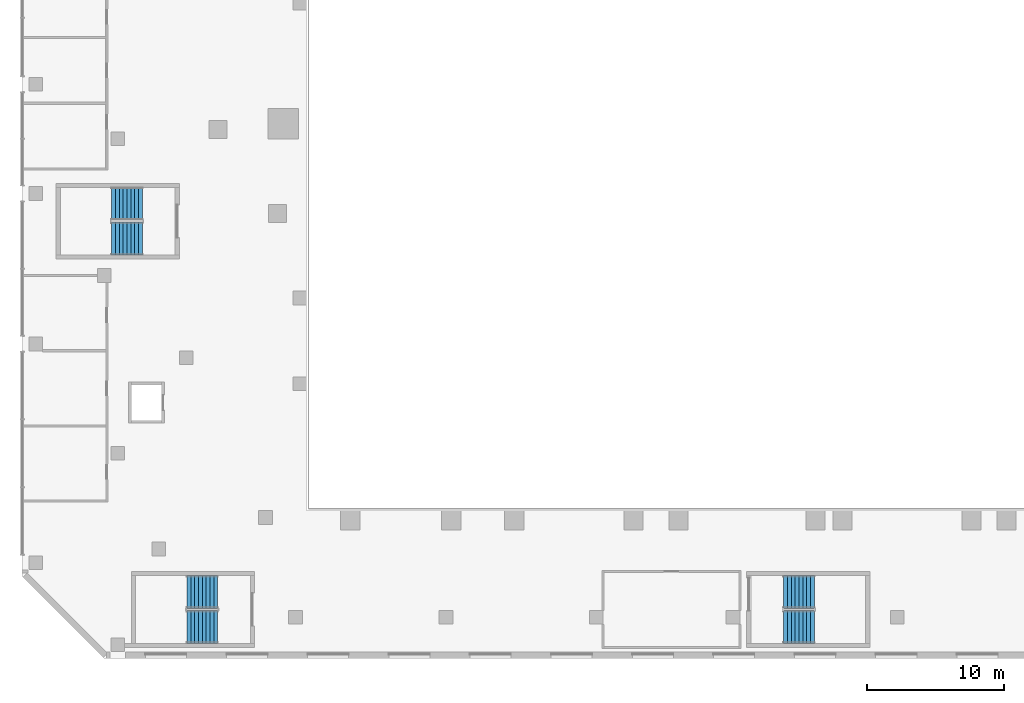
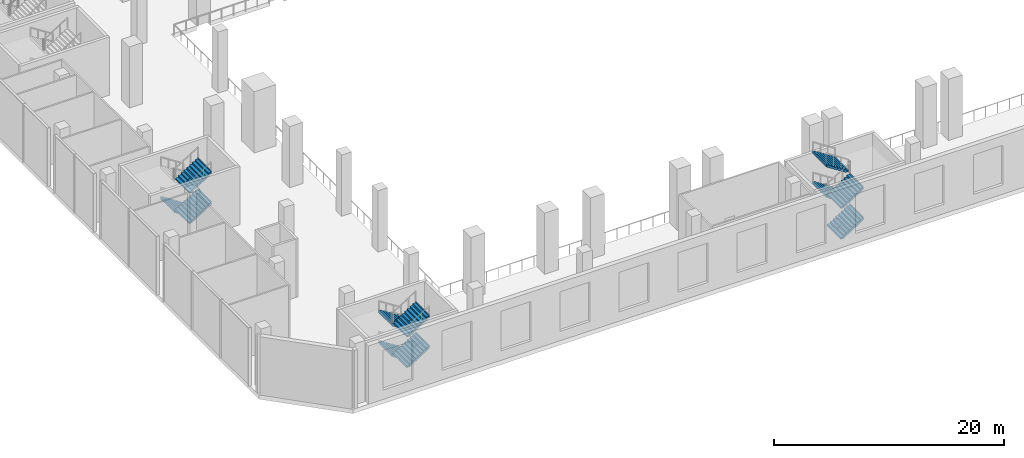
# One storey, part 18 of 30: 11 stair flights, 3 elements without a shape of their own.
"""IFC4 building model written with IfcOpenShell, lengths in metres."""

from ifc_helpers import new_model, si_unit, direction, frame, origin, place, context, subcontext, project, spatial, polyline, outline, extrude, material, type_object, element, aggregate, save


model = new_model("IFC4")

# Units and contexts
model_context = context("Model", 3, precision=1e-05, world=origin(), true_north=direction((0.0, 1.0)))
body_context = subcontext(model_context, "Body", "Model", "MODEL_VIEW")
ifc_project = project(units=[si_unit("LENGTHUNIT", "METRE"), si_unit("AREAUNIT", "SQUARE_METRE"), si_unit("VOLUMEUNIT", "CUBIC_METRE"), si_unit("PLANEANGLEUNIT", "RADIAN"), si_unit("MASSUNIT", "GRAM", prefix="KILO")], contexts=[model_context])

# Site, building, storey
site_placement = place(None, origin())
site = spatial("IfcSite", under=ifc_project, at=site_placement, CompositionType="ELEMENT")
building_placement = place(site_placement, origin())
building = spatial("IfcBuilding", under=site, at=building_placement, Name="Wharfspan Tower", CompositionType="ELEMENT")
storey_placement = place(building_placement, frame((0.0, 0.0, 15.0)))
storey = spatial("IfcBuildingStorey", under=building, at=storey_placement, Name="L02", CompositionType="ELEMENT", Elevation=15.0)

# Stair, stair flights
ifc_material = material(Name="Concrete C40/50", Category="concrete")
stair_type = type_object("IfcStairType", Name="Half-turn stair 2400 wide 36 risers 181 mm", PredefinedType="HALF_TURN_STAIR", material=ifc_material)
stair_1_placement = place(storey_placement, origin())
stair_1 = element("IfcStair", 1, at=stair_1_placement, inside=storey, type_object=stair_type, Name="L02 stair AS1", PredefinedType="HALF_TURN_STAIR")
stair_flight_type = type_object("IfcStairFlightType", Name="Stair flight 2400 wide 36 risers 181 mm", PredefinedType="STRAIGHT", material=ifc_material)
stair_flight_1_placement = place(storey_placement, frame((2.300049, -27.149902, 0.0), z_axis=(0.0, 0.0, 1.0), x_axis=(-1.0, 0.0, 0.0)))
stair_flight_1 = element("IfcStairFlight", 2, at=stair_flight_1_placement, type_object=stair_flight_type, Name="AS1 flight 1", NumberOfRisers=9, NumberOfTreads=8, PredefinedType="STRAIGHT", RiserHeight=0.180556, TreadLength=0.28, context=body_context, shape_type="SweptSolid", body=[
    extrude(outline(polyline([(-0.011963, 0.0), (-0.011963, 0.180664), (0.0, 0.180664), (0.280029, 0.180664), (0.280029, 0.361084), (0.560059, 0.361084), (0.560059, 0.541748), (0.840088, 0.541748), (0.840088, 0.722168), (1.120117, 0.722168), (1.120117, 0.902832), (1.399902, 0.902832), (1.399902, 1.083252), (1.679932, 1.083252), (1.679932, 1.263916), (1.959961, 1.263916), (1.959961, 1.444336), (2.23999, 1.444336), (2.251953, 1.625), (2.251953, 1.266113), (0.276611, 0.0), (-0.011963, 0.0)])), frame((0.0, 1.199951, 0.0), z_axis=(0.0, -1.0, 0.0), x_axis=(1.0, 0.0, 0.0)), (0.0, 0.0, 1.0), 1.179443),
    extrude(outline(polyline([(-0.011963, 0.0), (-0.011963, 0.180664), (0.0, 0.180664), (0.280029, 0.180664), (0.280029, 0.361084), (0.560059, 0.361084), (0.560059, 0.541748), (0.840088, 0.541748), (0.840088, 0.722168), (1.120117, 0.722168), (1.120117, 0.902832), (1.399902, 0.902832), (1.399902, 1.083252), (1.679932, 1.083252), (1.679932, 1.263916), (1.959961, 1.263916), (1.959961, 1.444336), (2.23999, 1.444336), (2.251953, 1.625), (2.251953, 1.266113), (0.276611, 0.0), (-0.011963, 0.0)])), frame((0.0, 0.019531, 0.0), z_axis=(0.0, -1.0, 0.0), x_axis=(1.0, 0.0, 0.0)), (0.0, 0.0, 1.0), 0.019043),
    extrude(outline(polyline([(-0.011963, 0.0), (-0.011963, 0.180664), (0.0, 0.180664), (0.280029, 0.180664), (0.280029, 0.361084), (0.560059, 0.361084), (0.560059, 0.541748), (0.840088, 0.541748), (0.840088, 0.722168), (1.120117, 0.722168), (1.120117, 0.902832), (1.399902, 0.902832), (1.399902, 1.083252), (1.679932, 1.083252), (1.679932, 1.263916), (1.959961, 1.263916), (1.959961, 1.444336), (2.23999, 1.444336), (2.251953, 1.625), (2.251953, 1.266113), (0.276611, 0.0), (-0.011963, 0.0)])), frame((0.0, -0.000488, 0.0), z_axis=(0.0, -1.0, 0.0), x_axis=(1.0, 0.0, 0.0)), (0.0, 0.0, 1.0), 0.019043),
    extrude(outline(polyline([(-0.011963, 0.0), (-0.011963, 0.180664), (0.0, 0.180664), (0.280029, 0.180664), (0.280029, 0.361084), (0.560059, 0.361084), (0.560059, 0.541748), (0.840088, 0.541748), (0.840088, 0.722168), (1.120117, 0.722168), (1.120117, 0.902832), (1.399902, 0.902832), (1.399902, 1.083252), (1.679932, 1.083252), (1.679932, 1.263916), (1.959961, 1.263916), (1.959961, 1.444336), (2.23999, 1.444336), (2.251953, 1.625), (2.251953, 1.266113), (0.276611, 0.0), (-0.011963, 0.0)])), frame((0.0, -0.020508, 0.0), z_axis=(0.0, -1.0, 0.0), x_axis=(1.0, 0.0, 0.0)), (0.0, 0.0, 1.0), 1.179443),
])
stair_flight_2_placement = place(storey_placement, frame((0.060059, -29.699951, 1.625), z_axis=(0.0, 0.0, 1.0), x_axis=(1.0, 0.0, 0.0)))
stair_flight_2 = element("IfcStairFlight", 3, at=stair_flight_2_placement, type_object=stair_flight_type, Name="AS1 flight 2", NumberOfRisers=9, NumberOfTreads=8, PredefinedType="STRAIGHT", RiserHeight=0.180556, TreadLength=0.28, context=body_context, shape_type="SweptSolid", body=[
    extrude(outline(polyline([(-0.011963, 0.0), (-0.011963, 0.180664), (0.0, 0.180664), (0.280029, 0.180664), (0.280029, 0.361084), (0.560059, 0.361084), (0.560059, 0.541748), (0.840088, 0.541748), (0.840088, 0.722168), (1.120117, 0.722168), (1.120117, 0.902832), (1.399902, 0.902832), (1.399902, 1.083252), (1.679932, 1.083252), (1.679932, 1.263916), (1.959961, 1.263916), (1.959961, 1.444336), (2.23999, 1.444336), (2.251953, 1.625), (2.251953, 1.266113), (0.276611, 0.0), (-0.011963, 0.0)])), frame((0.0, 1.199951, 0.0), z_axis=(0.0, -1.0, 0.0), x_axis=(1.0, 0.0, 0.0)), (0.0, 0.0, 1.0), 1.179443),
    extrude(outline(polyline([(-0.011963, 0.0), (-0.011963, 0.180664), (0.0, 0.180664), (0.280029, 0.180664), (0.280029, 0.361084), (0.560059, 0.361084), (0.560059, 0.541748), (0.840088, 0.541748), (0.840088, 0.722168), (1.120117, 0.722168), (1.120117, 0.902832), (1.399902, 0.902832), (1.399902, 1.083252), (1.679932, 1.083252), (1.679932, 1.263916), (1.959961, 1.263916), (1.959961, 1.444336), (2.23999, 1.444336), (2.251953, 1.625), (2.251953, 1.266113), (0.276611, 0.0), (-0.011963, 0.0)])), frame((0.0, 0.019531, 0.0), z_axis=(0.0, -1.0, 0.0), x_axis=(1.0, 0.0, 0.0)), (0.0, 0.0, 1.0), 0.019043),
    extrude(outline(polyline([(-0.011963, 0.0), (-0.011963, 0.180664), (0.0, 0.180664), (0.280029, 0.180664), (0.280029, 0.361084), (0.560059, 0.361084), (0.560059, 0.541748), (0.840088, 0.541748), (0.840088, 0.722168), (1.120117, 0.722168), (1.120117, 0.902832), (1.399902, 0.902832), (1.399902, 1.083252), (1.679932, 1.083252), (1.679932, 1.263916), (1.959961, 1.263916), (1.959961, 1.444336), (2.23999, 1.444336), (2.251953, 1.625), (2.251953, 1.266113), (0.276611, 0.0), (-0.011963, 0.0)])), frame((0.0, -0.000488, 0.0), z_axis=(0.0, -1.0, 0.0), x_axis=(1.0, 0.0, 0.0)), (0.0, 0.0, 1.0), 0.019043),
    extrude(outline(polyline([(-0.011963, 0.0), (-0.011963, 0.180664), (0.0, 0.180664), (0.280029, 0.180664), (0.280029, 0.361084), (0.560059, 0.361084), (0.560059, 0.541748), (0.840088, 0.541748), (0.840088, 0.722168), (1.120117, 0.722168), (1.120117, 0.902832), (1.399902, 0.902832), (1.399902, 1.083252), (1.679932, 1.083252), (1.679932, 1.263916), (1.959961, 1.263916), (1.959961, 1.444336), (2.23999, 1.444336), (2.251953, 1.625), (2.251953, 1.266113), (0.276611, 0.0), (-0.011963, 0.0)])), frame((0.0, -0.020508, 0.0), z_axis=(0.0, -1.0, 0.0), x_axis=(1.0, 0.0, 0.0)), (0.0, 0.0, 1.0), 1.179443),
])
stair_flight_3_placement = place(storey_placement, frame((2.300049, -27.149902, 3.25), z_axis=(0.0, 0.0, 1.0), x_axis=(-1.0, 0.0, 0.0)))
stair_flight_3 = element("IfcStairFlight", 4, at=stair_flight_3_placement, type_object=stair_flight_type, Name="AS1 flight 3", NumberOfRisers=9, NumberOfTreads=8, PredefinedType="STRAIGHT", RiserHeight=0.180556, TreadLength=0.28, context=body_context, shape_type="SweptSolid", body=[
    extrude(outline(polyline([(-0.011963, 0.0), (-0.011963, 0.180664), (0.0, 0.180664), (0.280029, 0.180664), (0.280029, 0.361084), (0.560059, 0.361084), (0.560059, 0.541748), (0.840088, 0.541748), (0.840088, 0.722168), (1.120117, 0.722168), (1.120117, 0.902832), (1.399902, 0.902832), (1.399902, 1.083252), (1.679932, 1.083252), (1.679932, 1.263916), (1.959961, 1.263916), (1.959961, 1.444336), (2.23999, 1.444336), (2.251953, 1.625), (2.251953, 1.266113), (0.276611, 0.0), (-0.011963, 0.0)])), frame((0.0, 1.199951, 0.0), z_axis=(0.0, -1.0, 0.0), x_axis=(1.0, 0.0, 0.0)), (0.0, 0.0, 1.0), 1.179443),
    extrude(outline(polyline([(-0.011963, 0.0), (-0.011963, 0.180664), (0.0, 0.180664), (0.280029, 0.180664), (0.280029, 0.361084), (0.560059, 0.361084), (0.560059, 0.541748), (0.840088, 0.541748), (0.840088, 0.722168), (1.120117, 0.722168), (1.120117, 0.902832), (1.399902, 0.902832), (1.399902, 1.083252), (1.679932, 1.083252), (1.679932, 1.263916), (1.959961, 1.263916), (1.959961, 1.444336), (2.23999, 1.444336), (2.251953, 1.625), (2.251953, 1.266113), (0.276611, 0.0), (-0.011963, 0.0)])), frame((0.0, 0.019531, 0.0), z_axis=(0.0, -1.0, 0.0), x_axis=(1.0, 0.0, 0.0)), (0.0, 0.0, 1.0), 0.019043),
    extrude(outline(polyline([(-0.011963, 0.0), (-0.011963, 0.180664), (0.0, 0.180664), (0.280029, 0.180664), (0.280029, 0.361084), (0.560059, 0.361084), (0.560059, 0.541748), (0.840088, 0.541748), (0.840088, 0.722168), (1.120117, 0.722168), (1.120117, 0.902832), (1.399902, 0.902832), (1.399902, 1.083252), (1.679932, 1.083252), (1.679932, 1.263916), (1.959961, 1.263916), (1.959961, 1.444336), (2.23999, 1.444336), (2.251953, 1.625), (2.251953, 1.266113), (0.276611, 0.0), (-0.011963, 0.0)])), frame((0.0, -0.000488, 0.0), z_axis=(0.0, -1.0, 0.0), x_axis=(1.0, 0.0, 0.0)), (0.0, 0.0, 1.0), 0.019043),
    extrude(outline(polyline([(-0.011963, 0.0), (-0.011963, 0.180664), (0.0, 0.180664), (0.280029, 0.180664), (0.280029, 0.361084), (0.560059, 0.361084), (0.560059, 0.541748), (0.840088, 0.541748), (0.840088, 0.722168), (1.120117, 0.722168), (1.120117, 0.902832), (1.399902, 0.902832), (1.399902, 1.083252), (1.679932, 1.083252), (1.679932, 1.263916), (1.959961, 1.263916), (1.959961, 1.444336), (2.23999, 1.444336), (2.251953, 1.625), (2.251953, 1.266113), (0.276611, 0.0), (-0.011963, 0.0)])), frame((0.0, -0.020508, 0.0), z_axis=(0.0, -1.0, 0.0), x_axis=(1.0, 0.0, 0.0)), (0.0, 0.0, 1.0), 1.179443),
])
stair_flight_4_placement = place(storey_placement, frame((0.060059, -29.699951, 4.875), z_axis=(0.0, 0.0, 1.0), x_axis=(1.0, 0.0, 0.0)))
stair_flight_4 = element("IfcStairFlight", 5, at=stair_flight_4_placement, type_object=stair_flight_type, Name="AS1 flight 4", NumberOfRisers=9, NumberOfTreads=8, PredefinedType="STRAIGHT", RiserHeight=0.180556, TreadLength=0.28, context=body_context, shape_type="SweptSolid", body=[
    extrude(outline(polyline([(-0.011963, 0.0), (-0.011963, 0.180664), (0.0, 0.180664), (0.280029, 0.180664), (0.280029, 0.361084), (0.560059, 0.361084), (0.560059, 0.541748), (0.840088, 0.541748), (0.840088, 0.722168), (1.120117, 0.722168), (1.120117, 0.902832), (1.399902, 0.902832), (1.399902, 1.083252), (1.679932, 1.083252), (1.679932, 1.263916), (1.959961, 1.263916), (1.959961, 1.444336), (2.23999, 1.444336), (2.251953, 1.625), (2.251953, 1.266113), (0.276611, 0.0), (-0.011963, 0.0)])), frame((0.0, 1.199951, 0.0), z_axis=(0.0, -1.0, 0.0), x_axis=(1.0, 0.0, 0.0)), (0.0, 0.0, 1.0), 1.179443),
    extrude(outline(polyline([(-0.011963, 0.0), (-0.011963, 0.180664), (0.0, 0.180664), (0.280029, 0.180664), (0.280029, 0.361084), (0.560059, 0.361084), (0.560059, 0.541748), (0.840088, 0.541748), (0.840088, 0.722168), (1.120117, 0.722168), (1.120117, 0.902832), (1.399902, 0.902832), (1.399902, 1.083252), (1.679932, 1.083252), (1.679932, 1.263916), (1.959961, 1.263916), (1.959961, 1.444336), (2.23999, 1.444336), (2.251953, 1.625), (2.251953, 1.266113), (0.276611, 0.0), (-0.011963, 0.0)])), frame((0.0, 0.019531, 0.0), z_axis=(0.0, -1.0, 0.0), x_axis=(1.0, 0.0, 0.0)), (0.0, 0.0, 1.0), 0.019043),
    extrude(outline(polyline([(-0.011963, 0.0), (-0.011963, 0.180664), (0.0, 0.180664), (0.280029, 0.180664), (0.280029, 0.361084), (0.560059, 0.361084), (0.560059, 0.541748), (0.840088, 0.541748), (0.840088, 0.722168), (1.120117, 0.722168), (1.120117, 0.902832), (1.399902, 0.902832), (1.399902, 1.083252), (1.679932, 1.083252), (1.679932, 1.263916), (1.959961, 1.263916), (1.959961, 1.444336), (2.23999, 1.444336), (2.251953, 1.625), (2.251953, 1.266113), (0.276611, 0.0), (-0.011963, 0.0)])), frame((0.0, -0.000488, 0.0), z_axis=(0.0, -1.0, 0.0), x_axis=(1.0, 0.0, 0.0)), (0.0, 0.0, 1.0), 0.019043),
    extrude(outline(polyline([(-0.011963, 0.0), (-0.011963, 0.180664), (0.0, 0.180664), (0.280029, 0.180664), (0.280029, 0.361084), (0.560059, 0.361084), (0.560059, 0.541748), (0.840088, 0.541748), (0.840088, 0.722168), (1.120117, 0.722168), (1.120117, 0.902832), (1.399902, 0.902832), (1.399902, 1.083252), (1.679932, 1.083252), (1.679932, 1.263916), (1.959961, 1.263916), (1.959961, 1.444336), (2.23999, 1.444336), (2.251953, 1.625), (2.251953, 1.266113), (0.276611, 0.0), (-0.011963, 0.0)])), frame((0.0, -0.020508, 0.0), z_axis=(0.0, -1.0, 0.0), x_axis=(1.0, 0.0, 0.0)), (0.0, 0.0, 1.0), 1.179443),
])
aggregate(stair_1, [stair_flight_1, stair_flight_2, stair_flight_3, stair_flight_4])

stair_2_placement = place(storey_placement, origin())
stair_2 = element("IfcStair", 6, at=stair_2_placement, inside=storey, type_object=stair_type, Name="L02 stair AS5", PredefinedType="HALF_TURN_STAIR")
stair_flight_5_placement = place(storey_placement, frame((43.699951, -29.699951, 0.0), z_axis=(0.0, 0.0, 1.0), x_axis=(1.0, 0.0, 0.0)))
stair_flight_5 = element("IfcStairFlight", 7, at=stair_flight_5_placement, type_object=stair_flight_type, Name="AS5 flight 1", NumberOfRisers=9, NumberOfTreads=8, PredefinedType="STRAIGHT", RiserHeight=0.180556, TreadLength=0.28, context=body_context, shape_type="SweptSolid", body=[
    extrude(outline(polyline([(-0.011963, 0.0), (-0.011963, 0.180664), (0.0, 0.180664), (0.280029, 0.180664), (0.280029, 0.361084), (0.560059, 0.361084), (0.560059, 0.541748), (0.840088, 0.541748), (0.840088, 0.722168), (1.120117, 0.722168), (1.120117, 0.902832), (1.399902, 0.902832), (1.399902, 1.083252), (1.679932, 1.083252), (1.679932, 1.263916), (1.959961, 1.263916), (1.959961, 1.444336), (2.23999, 1.444336), (2.251953, 1.625), (2.251953, 1.266113), (0.276611, 0.0), (-0.011963, 0.0)])), frame((0.0, 1.199951, 0.0), z_axis=(0.0, -1.0, 0.0), x_axis=(1.0, 0.0, 0.0)), (0.0, 0.0, 1.0), 1.179443),
    extrude(outline(polyline([(-0.011963, 0.0), (-0.011963, 0.180664), (0.0, 0.180664), (0.280029, 0.180664), (0.280029, 0.361084), (0.560059, 0.361084), (0.560059, 0.541748), (0.840088, 0.541748), (0.840088, 0.722168), (1.120117, 0.722168), (1.120117, 0.902832), (1.399902, 0.902832), (1.399902, 1.083252), (1.679932, 1.083252), (1.679932, 1.263916), (1.959961, 1.263916), (1.959961, 1.444336), (2.23999, 1.444336), (2.251953, 1.625), (2.251953, 1.266113), (0.276611, 0.0), (-0.011963, 0.0)])), frame((0.0, 0.019531, 0.0), z_axis=(0.0, -1.0, 0.0), x_axis=(1.0, 0.0, 0.0)), (0.0, 0.0, 1.0), 0.019043),
    extrude(outline(polyline([(-0.011963, 0.0), (-0.011963, 0.180664), (0.0, 0.180664), (0.280029, 0.180664), (0.280029, 0.361084), (0.560059, 0.361084), (0.560059, 0.541748), (0.840088, 0.541748), (0.840088, 0.722168), (1.120117, 0.722168), (1.120117, 0.902832), (1.399902, 0.902832), (1.399902, 1.083252), (1.679932, 1.083252), (1.679932, 1.263916), (1.959961, 1.263916), (1.959961, 1.444336), (2.23999, 1.444336), (2.251953, 1.625), (2.251953, 1.266113), (0.276611, 0.0), (-0.011963, 0.0)])), frame((0.0, -0.000488, 0.0), z_axis=(0.0, -1.0, 0.0), x_axis=(1.0, 0.0, 0.0)), (0.0, 0.0, 1.0), 0.019043),
    extrude(outline(polyline([(-0.011963, 0.0), (-0.011963, 0.180664), (0.0, 0.180664), (0.280029, 0.180664), (0.280029, 0.361084), (0.560059, 0.361084), (0.560059, 0.541748), (0.840088, 0.541748), (0.840088, 0.722168), (1.120117, 0.722168), (1.120117, 0.902832), (1.399902, 0.902832), (1.399902, 1.083252), (1.679932, 1.083252), (1.679932, 1.263916), (1.959961, 1.263916), (1.959961, 1.444336), (2.23999, 1.444336), (2.251953, 1.625), (2.251953, 1.266113), (0.276611, 0.0), (-0.011963, 0.0)])), frame((0.0, -0.020508, 0.0), z_axis=(0.0, -1.0, 0.0), x_axis=(1.0, 0.0, 0.0)), (0.0, 0.0, 1.0), 1.179443),
])
stair_flight_6_placement = place(storey_placement, frame((45.939941, -27.149902, 1.625), z_axis=(0.0, 0.0, 1.0), x_axis=(-1.0, 0.0, 0.0)))
stair_flight_6 = element("IfcStairFlight", 8, at=stair_flight_6_placement, type_object=stair_flight_type, Name="AS5 flight 2", NumberOfRisers=9, NumberOfTreads=8, PredefinedType="STRAIGHT", RiserHeight=0.180556, TreadLength=0.28, context=body_context, shape_type="SweptSolid", body=[
    extrude(outline(polyline([(-0.011963, 0.0), (-0.011963, 0.180664), (0.0, 0.180664), (0.280029, 0.180664), (0.280029, 0.361084), (0.560059, 0.361084), (0.560059, 0.541748), (0.840088, 0.541748), (0.840088, 0.722168), (1.120117, 0.722168), (1.120117, 0.902832), (1.399902, 0.902832), (1.399902, 1.083252), (1.679932, 1.083252), (1.679932, 1.263916), (1.959961, 1.263916), (1.959961, 1.444336), (2.23999, 1.444336), (2.251953, 1.625), (2.251953, 1.266113), (0.276611, 0.0), (-0.011963, 0.0)])), frame((0.0, 1.199951, 0.0), z_axis=(0.0, -1.0, 0.0), x_axis=(1.0, 0.0, 0.0)), (0.0, 0.0, 1.0), 1.179443),
    extrude(outline(polyline([(-0.011963, 0.0), (-0.011963, 0.180664), (0.0, 0.180664), (0.280029, 0.180664), (0.280029, 0.361084), (0.560059, 0.361084), (0.560059, 0.541748), (0.840088, 0.541748), (0.840088, 0.722168), (1.120117, 0.722168), (1.120117, 0.902832), (1.399902, 0.902832), (1.399902, 1.083252), (1.679932, 1.083252), (1.679932, 1.263916), (1.959961, 1.263916), (1.959961, 1.444336), (2.23999, 1.444336), (2.251953, 1.625), (2.251953, 1.266113), (0.276611, 0.0), (-0.011963, 0.0)])), frame((0.0, 0.019531, 0.0), z_axis=(0.0, -1.0, 0.0), x_axis=(1.0, 0.0, 0.0)), (0.0, 0.0, 1.0), 0.019043),
    extrude(outline(polyline([(-0.011963, 0.0), (-0.011963, 0.180664), (0.0, 0.180664), (0.280029, 0.180664), (0.280029, 0.361084), (0.560059, 0.361084), (0.560059, 0.541748), (0.840088, 0.541748), (0.840088, 0.722168), (1.120117, 0.722168), (1.120117, 0.902832), (1.399902, 0.902832), (1.399902, 1.083252), (1.679932, 1.083252), (1.679932, 1.263916), (1.959961, 1.263916), (1.959961, 1.444336), (2.23999, 1.444336), (2.251953, 1.625), (2.251953, 1.266113), (0.276611, 0.0), (-0.011963, 0.0)])), frame((0.0, -0.000488, 0.0), z_axis=(0.0, -1.0, 0.0), x_axis=(1.0, 0.0, 0.0)), (0.0, 0.0, 1.0), 0.019043),
    extrude(outline(polyline([(-0.011963, 0.0), (-0.011963, 0.180664), (0.0, 0.180664), (0.280029, 0.180664), (0.280029, 0.361084), (0.560059, 0.361084), (0.560059, 0.541748), (0.840088, 0.541748), (0.840088, 0.722168), (1.120117, 0.722168), (1.120117, 0.902832), (1.399902, 0.902832), (1.399902, 1.083252), (1.679932, 1.083252), (1.679932, 1.263916), (1.959961, 1.263916), (1.959961, 1.444336), (2.23999, 1.444336), (2.251953, 1.625), (2.251953, 1.266113), (0.276611, 0.0), (-0.011963, 0.0)])), frame((0.0, -0.020508, 0.0), z_axis=(0.0, -1.0, 0.0), x_axis=(1.0, 0.0, 0.0)), (0.0, 0.0, 1.0), 1.179443),
])
stair_flight_7_placement = place(storey_placement, frame((43.699951, -29.699951, 3.25), z_axis=(0.0, 0.0, 1.0), x_axis=(1.0, 0.0, 0.0)))
stair_flight_7 = element("IfcStairFlight", 9, at=stair_flight_7_placement, type_object=stair_flight_type, Name="AS5 flight 3", NumberOfRisers=9, NumberOfTreads=8, PredefinedType="STRAIGHT", RiserHeight=0.180556, TreadLength=0.28, context=body_context, shape_type="SweptSolid", body=[
    extrude(outline(polyline([(-0.011963, 0.0), (-0.011963, 0.180664), (0.0, 0.180664), (0.280029, 0.180664), (0.280029, 0.361084), (0.560059, 0.361084), (0.560059, 0.541748), (0.840088, 0.541748), (0.840088, 0.722168), (1.120117, 0.722168), (1.120117, 0.902832), (1.399902, 0.902832), (1.399902, 1.083252), (1.679932, 1.083252), (1.679932, 1.263916), (1.959961, 1.263916), (1.959961, 1.444336), (2.23999, 1.444336), (2.251953, 1.625), (2.251953, 1.266113), (0.276611, 0.0), (-0.011963, 0.0)])), frame((0.0, 1.199951, 0.0), z_axis=(0.0, -1.0, 0.0), x_axis=(1.0, 0.0, 0.0)), (0.0, 0.0, 1.0), 1.179443),
    extrude(outline(polyline([(-0.011963, 0.0), (-0.011963, 0.180664), (0.0, 0.180664), (0.280029, 0.180664), (0.280029, 0.361084), (0.560059, 0.361084), (0.560059, 0.541748), (0.840088, 0.541748), (0.840088, 0.722168), (1.120117, 0.722168), (1.120117, 0.902832), (1.399902, 0.902832), (1.399902, 1.083252), (1.679932, 1.083252), (1.679932, 1.263916), (1.959961, 1.263916), (1.959961, 1.444336), (2.23999, 1.444336), (2.251953, 1.625), (2.251953, 1.266113), (0.276611, 0.0), (-0.011963, 0.0)])), frame((0.0, 0.019531, 0.0), z_axis=(0.0, -1.0, 0.0), x_axis=(1.0, 0.0, 0.0)), (0.0, 0.0, 1.0), 0.019043),
    extrude(outline(polyline([(-0.011963, 0.0), (-0.011963, 0.180664), (0.0, 0.180664), (0.280029, 0.180664), (0.280029, 0.361084), (0.560059, 0.361084), (0.560059, 0.541748), (0.840088, 0.541748), (0.840088, 0.722168), (1.120117, 0.722168), (1.120117, 0.902832), (1.399902, 0.902832), (1.399902, 1.083252), (1.679932, 1.083252), (1.679932, 1.263916), (1.959961, 1.263916), (1.959961, 1.444336), (2.23999, 1.444336), (2.251953, 1.625), (2.251953, 1.266113), (0.276611, 0.0), (-0.011963, 0.0)])), frame((0.0, -0.000488, 0.0), z_axis=(0.0, -1.0, 0.0), x_axis=(1.0, 0.0, 0.0)), (0.0, 0.0, 1.0), 0.019043),
    extrude(outline(polyline([(-0.011963, 0.0), (-0.011963, 0.180664), (0.0, 0.180664), (0.280029, 0.180664), (0.280029, 0.361084), (0.560059, 0.361084), (0.560059, 0.541748), (0.840088, 0.541748), (0.840088, 0.722168), (1.120117, 0.722168), (1.120117, 0.902832), (1.399902, 0.902832), (1.399902, 1.083252), (1.679932, 1.083252), (1.679932, 1.263916), (1.959961, 1.263916), (1.959961, 1.444336), (2.23999, 1.444336), (2.251953, 1.625), (2.251953, 1.266113), (0.276611, 0.0), (-0.011963, 0.0)])), frame((0.0, -0.020508, 0.0), z_axis=(0.0, -1.0, 0.0), x_axis=(1.0, 0.0, 0.0)), (0.0, 0.0, 1.0), 1.179443),
])
stair_flight_8_placement = place(storey_placement, frame((45.939941, -27.149902, 4.875), z_axis=(0.0, 0.0, 1.0), x_axis=(-1.0, 0.0, 0.0)))
stair_flight_8 = element("IfcStairFlight", 10, at=stair_flight_8_placement, type_object=stair_flight_type, Name="AS5 flight 4", NumberOfRisers=9, NumberOfTreads=8, PredefinedType="STRAIGHT", RiserHeight=0.180556, TreadLength=0.28, context=body_context, shape_type="SweptSolid", body=[
    extrude(outline(polyline([(-0.011963, 0.0), (-0.011963, 0.180664), (0.0, 0.180664), (0.280029, 0.180664), (0.280029, 0.361084), (0.560059, 0.361084), (0.560059, 0.541748), (0.840088, 0.541748), (0.840088, 0.722168), (1.120117, 0.722168), (1.120117, 0.902832), (1.399902, 0.902832), (1.399902, 1.083252), (1.679932, 1.083252), (1.679932, 1.263916), (1.959961, 1.263916), (1.959961, 1.444336), (2.23999, 1.444336), (2.251953, 1.625), (2.251953, 1.266113), (0.276611, 0.0), (-0.011963, 0.0)])), frame((0.0, 1.199951, 0.0), z_axis=(0.0, -1.0, 0.0), x_axis=(1.0, 0.0, 0.0)), (0.0, 0.0, 1.0), 1.179443),
    extrude(outline(polyline([(-0.011963, 0.0), (-0.011963, 0.180664), (0.0, 0.180664), (0.280029, 0.180664), (0.280029, 0.361084), (0.560059, 0.361084), (0.560059, 0.541748), (0.840088, 0.541748), (0.840088, 0.722168), (1.120117, 0.722168), (1.120117, 0.902832), (1.399902, 0.902832), (1.399902, 1.083252), (1.679932, 1.083252), (1.679932, 1.263916), (1.959961, 1.263916), (1.959961, 1.444336), (2.23999, 1.444336), (2.251953, 1.625), (2.251953, 1.266113), (0.276611, 0.0), (-0.011963, 0.0)])), frame((0.0, 0.019531, 0.0), z_axis=(0.0, -1.0, 0.0), x_axis=(1.0, 0.0, 0.0)), (0.0, 0.0, 1.0), 0.019043),
    extrude(outline(polyline([(-0.011963, 0.0), (-0.011963, 0.180664), (0.0, 0.180664), (0.280029, 0.180664), (0.280029, 0.361084), (0.560059, 0.361084), (0.560059, 0.541748), (0.840088, 0.541748), (0.840088, 0.722168), (1.120117, 0.722168), (1.120117, 0.902832), (1.399902, 0.902832), (1.399902, 1.083252), (1.679932, 1.083252), (1.679932, 1.263916), (1.959961, 1.263916), (1.959961, 1.444336), (2.23999, 1.444336), (2.251953, 1.625), (2.251953, 1.266113), (0.276611, 0.0), (-0.011963, 0.0)])), frame((0.0, -0.000488, 0.0), z_axis=(0.0, -1.0, 0.0), x_axis=(1.0, 0.0, 0.0)), (0.0, 0.0, 1.0), 0.019043),
    extrude(outline(polyline([(-0.011963, 0.0), (-0.011963, 0.180664), (0.0, 0.180664), (0.280029, 0.180664), (0.280029, 0.361084), (0.560059, 0.361084), (0.560059, 0.541748), (0.840088, 0.541748), (0.840088, 0.722168), (1.120117, 0.722168), (1.120117, 0.902832), (1.399902, 0.902832), (1.399902, 1.083252), (1.679932, 1.083252), (1.679932, 1.263916), (1.959961, 1.263916), (1.959961, 1.444336), (2.23999, 1.444336), (2.251953, 1.625), (2.251953, 1.266113), (0.276611, 0.0), (-0.011963, 0.0)])), frame((0.0, -0.020508, 0.0), z_axis=(0.0, -1.0, 0.0), x_axis=(1.0, 0.0, 0.0)), (0.0, 0.0, 1.0), 1.179443),
])
aggregate(stair_2, [stair_flight_5, stair_flight_6, stair_flight_7, stair_flight_8])

stair_3_placement = place(storey_placement, origin())
stair_3 = element("IfcStair", 11, at=stair_3_placement, inside=storey, type_object=stair_type, Name="L02 stair AS7", PredefinedType="HALF_TURN_STAIR")
stair_flight_9_placement = place(storey_placement, frame((-3.199951, 1.25, 0.0), z_axis=(0.0, 0.0, 1.0), x_axis=(-1.0, 0.0, 0.0)))
stair_flight_9 = element("IfcStairFlight", 12, at=stair_flight_9_placement, type_object=stair_flight_type, Name="AS7 flight 1", NumberOfRisers=9, NumberOfTreads=8, PredefinedType="STRAIGHT", RiserHeight=0.180556, TreadLength=0.28, context=body_context, shape_type="SweptSolid", body=[
    extrude(outline(polyline([(-0.011963, 0.0), (-0.011963, 0.180664), (0.0, 0.180664), (0.280029, 0.180664), (0.280029, 0.361084), (0.560059, 0.361084), (0.560059, 0.541748), (0.840088, 0.541748), (0.840088, 0.722168), (1.120117, 0.722168), (1.120117, 0.902832), (1.399902, 0.902832), (1.399902, 1.083252), (1.679932, 1.083252), (1.679932, 1.263916), (1.959961, 1.263916), (1.959961, 1.444336), (2.23999, 1.444336), (2.251953, 1.625), (2.251953, 1.266113), (0.276611, 0.0), (-0.011963, 0.0)])), frame((0.0, 1.199951, 0.0), z_axis=(0.0, -1.0, 0.0), x_axis=(1.0, 0.0, 0.0)), (0.0, 0.0, 1.0), 1.179443),
    extrude(outline(polyline([(-0.011963, 0.0), (-0.011963, 0.180664), (0.0, 0.180664), (0.280029, 0.180664), (0.280029, 0.361084), (0.560059, 0.361084), (0.560059, 0.541748), (0.840088, 0.541748), (0.840088, 0.722168), (1.120117, 0.722168), (1.120117, 0.902832), (1.399902, 0.902832), (1.399902, 1.083252), (1.679932, 1.083252), (1.679932, 1.263916), (1.959961, 1.263916), (1.959961, 1.444336), (2.23999, 1.444336), (2.251953, 1.625), (2.251953, 1.266113), (0.276611, 0.0), (-0.011963, 0.0)])), frame((0.0, 0.019531, 0.0), z_axis=(0.0, -1.0, 0.0), x_axis=(1.0, 0.0, 0.0)), (0.0, 0.0, 1.0), 0.019043),
    extrude(outline(polyline([(-0.011963, 0.0), (-0.011963, 0.180664), (0.0, 0.180664), (0.280029, 0.180664), (0.280029, 0.361084), (0.560059, 0.361084), (0.560059, 0.541748), (0.840088, 0.541748), (0.840088, 0.722168), (1.120117, 0.722168), (1.120117, 0.902832), (1.399902, 0.902832), (1.399902, 1.083252), (1.679932, 1.083252), (1.679932, 1.263916), (1.959961, 1.263916), (1.959961, 1.444336), (2.23999, 1.444336), (2.251953, 1.625), (2.251953, 1.266113), (0.276611, 0.0), (-0.011963, 0.0)])), frame((0.0, -0.000488, 0.0), z_axis=(0.0, -1.0, 0.0), x_axis=(1.0, 0.0, 0.0)), (0.0, 0.0, 1.0), 0.019043),
    extrude(outline(polyline([(-0.011963, 0.0), (-0.011963, 0.180664), (0.0, 0.180664), (0.280029, 0.180664), (0.280029, 0.361084), (0.560059, 0.361084), (0.560059, 0.541748), (0.840088, 0.541748), (0.840088, 0.722168), (1.120117, 0.722168), (1.120117, 0.902832), (1.399902, 0.902832), (1.399902, 1.083252), (1.679932, 1.083252), (1.679932, 1.263916), (1.959961, 1.263916), (1.959961, 1.444336), (2.23999, 1.444336), (2.251953, 1.625), (2.251953, 1.266113), (0.276611, 0.0), (-0.011963, 0.0)])), frame((0.0, -0.020508, 0.0), z_axis=(0.0, -1.0, 0.0), x_axis=(1.0, 0.0, 0.0)), (0.0, 0.0, 1.0), 1.179443),
])
stair_flight_10_placement = place(storey_placement, frame((-5.439941, -1.300049, 1.625), z_axis=(0.0, 0.0, 1.0), x_axis=(1.0, 0.0, 0.0)))
stair_flight_10 = element("IfcStairFlight", 13, at=stair_flight_10_placement, type_object=stair_flight_type, Name="AS7 flight 2", NumberOfRisers=9, NumberOfTreads=8, PredefinedType="STRAIGHT", RiserHeight=0.180556, TreadLength=0.28, context=body_context, shape_type="SweptSolid", body=[
    extrude(outline(polyline([(-0.011963, 0.0), (-0.011963, 0.180664), (0.0, 0.180664), (0.280029, 0.180664), (0.280029, 0.361084), (0.560059, 0.361084), (0.560059, 0.541748), (0.840088, 0.541748), (0.840088, 0.722168), (1.120117, 0.722168), (1.120117, 0.902832), (1.399902, 0.902832), (1.399902, 1.083252), (1.679932, 1.083252), (1.679932, 1.263916), (1.959961, 1.263916), (1.959961, 1.444336), (2.23999, 1.444336), (2.251953, 1.625), (2.251953, 1.266113), (0.276611, 0.0), (-0.011963, 0.0)])), frame((0.0, 1.199951, 0.0), z_axis=(0.0, -1.0, 0.0), x_axis=(1.0, 0.0, 0.0)), (0.0, 0.0, 1.0), 1.179443),
    extrude(outline(polyline([(-0.011963, 0.0), (-0.011963, 0.180664), (0.0, 0.180664), (0.280029, 0.180664), (0.280029, 0.361084), (0.560059, 0.361084), (0.560059, 0.541748), (0.840088, 0.541748), (0.840088, 0.722168), (1.120117, 0.722168), (1.120117, 0.902832), (1.399902, 0.902832), (1.399902, 1.083252), (1.679932, 1.083252), (1.679932, 1.263916), (1.959961, 1.263916), (1.959961, 1.444336), (2.23999, 1.444336), (2.251953, 1.625), (2.251953, 1.266113), (0.276611, 0.0), (-0.011963, 0.0)])), frame((0.0, 0.019531, 0.0), z_axis=(0.0, -1.0, 0.0), x_axis=(1.0, 0.0, 0.0)), (0.0, 0.0, 1.0), 0.019043),
    extrude(outline(polyline([(-0.011963, 0.0), (-0.011963, 0.180664), (0.0, 0.180664), (0.280029, 0.180664), (0.280029, 0.361084), (0.560059, 0.361084), (0.560059, 0.541748), (0.840088, 0.541748), (0.840088, 0.722168), (1.120117, 0.722168), (1.120117, 0.902832), (1.399902, 0.902832), (1.399902, 1.083252), (1.679932, 1.083252), (1.679932, 1.263916), (1.959961, 1.263916), (1.959961, 1.444336), (2.23999, 1.444336), (2.251953, 1.625), (2.251953, 1.266113), (0.276611, 0.0), (-0.011963, 0.0)])), frame((0.0, -0.000488, 0.0), z_axis=(0.0, -1.0, 0.0), x_axis=(1.0, 0.0, 0.0)), (0.0, 0.0, 1.0), 0.019043),
    extrude(outline(polyline([(-0.011963, 0.0), (-0.011963, 0.180664), (0.0, 0.180664), (0.280029, 0.180664), (0.280029, 0.361084), (0.560059, 0.361084), (0.560059, 0.541748), (0.840088, 0.541748), (0.840088, 0.722168), (1.120117, 0.722168), (1.120117, 0.902832), (1.399902, 0.902832), (1.399902, 1.083252), (1.679932, 1.083252), (1.679932, 1.263916), (1.959961, 1.263916), (1.959961, 1.444336), (2.23999, 1.444336), (2.251953, 1.625), (2.251953, 1.266113), (0.276611, 0.0), (-0.011963, 0.0)])), frame((0.0, -0.020508, 0.0), z_axis=(0.0, -1.0, 0.0), x_axis=(1.0, 0.0, 0.0)), (0.0, 0.0, 1.0), 1.179443),
])
stair_flight_11_placement = place(storey_placement, frame((-5.439941, -1.300049, 4.875), z_axis=(0.0, 0.0, 1.0), x_axis=(1.0, 0.0, 0.0)))
stair_flight_11 = element("IfcStairFlight", 14, at=stair_flight_11_placement, type_object=stair_flight_type, Name="AS7 flight 4", NumberOfRisers=9, NumberOfTreads=8, PredefinedType="STRAIGHT", RiserHeight=0.180556, TreadLength=0.28, context=body_context, shape_type="SweptSolid", body=[
    extrude(outline(polyline([(-0.011963, 0.0), (-0.011963, 0.180664), (0.0, 0.180664), (0.280029, 0.180664), (0.280029, 0.361084), (0.560059, 0.361084), (0.560059, 0.541748), (0.840088, 0.541748), (0.840088, 0.722168), (1.120117, 0.722168), (1.120117, 0.902832), (1.399902, 0.902832), (1.399902, 1.083252), (1.679932, 1.083252), (1.679932, 1.263916), (1.959961, 1.263916), (1.959961, 1.444336), (2.23999, 1.444336), (2.251953, 1.625), (2.251953, 1.266113), (0.276611, 0.0), (-0.011963, 0.0)])), frame((0.0, 1.199951, 0.0), z_axis=(0.0, -1.0, 0.0), x_axis=(1.0, 0.0, 0.0)), (0.0, 0.0, 1.0), 1.179443),
    extrude(outline(polyline([(-0.011963, 0.0), (-0.011963, 0.180664), (0.0, 0.180664), (0.280029, 0.180664), (0.280029, 0.361084), (0.560059, 0.361084), (0.560059, 0.541748), (0.840088, 0.541748), (0.840088, 0.722168), (1.120117, 0.722168), (1.120117, 0.902832), (1.399902, 0.902832), (1.399902, 1.083252), (1.679932, 1.083252), (1.679932, 1.263916), (1.959961, 1.263916), (1.959961, 1.444336), (2.23999, 1.444336), (2.251953, 1.625), (2.251953, 1.266113), (0.276611, 0.0), (-0.011963, 0.0)])), frame((0.0, 0.019531, 0.0), z_axis=(0.0, -1.0, 0.0), x_axis=(1.0, 0.0, 0.0)), (0.0, 0.0, 1.0), 0.019043),
    extrude(outline(polyline([(-0.011963, 0.0), (-0.011963, 0.180664), (0.0, 0.180664), (0.280029, 0.180664), (0.280029, 0.361084), (0.560059, 0.361084), (0.560059, 0.541748), (0.840088, 0.541748), (0.840088, 0.722168), (1.120117, 0.722168), (1.120117, 0.902832), (1.399902, 0.902832), (1.399902, 1.083252), (1.679932, 1.083252), (1.679932, 1.263916), (1.959961, 1.263916), (1.959961, 1.444336), (2.23999, 1.444336), (2.251953, 1.625), (2.251953, 1.266113), (0.276611, 0.0), (-0.011963, 0.0)])), frame((0.0, -0.000488, 0.0), z_axis=(0.0, -1.0, 0.0), x_axis=(1.0, 0.0, 0.0)), (0.0, 0.0, 1.0), 0.019043),
    extrude(outline(polyline([(-0.011963, 0.0), (-0.011963, 0.180664), (0.0, 0.180664), (0.280029, 0.180664), (0.280029, 0.361084), (0.560059, 0.361084), (0.560059, 0.541748), (0.840088, 0.541748), (0.840088, 0.722168), (1.120117, 0.722168), (1.120117, 0.902832), (1.399902, 0.902832), (1.399902, 1.083252), (1.679932, 1.083252), (1.679932, 1.263916), (1.959961, 1.263916), (1.959961, 1.444336), (2.23999, 1.444336), (2.251953, 1.625), (2.251953, 1.266113), (0.276611, 0.0), (-0.011963, 0.0)])), frame((0.0, -0.020508, 0.0), z_axis=(0.0, -1.0, 0.0), x_axis=(1.0, 0.0, 0.0)), (0.0, 0.0, 1.0), 1.179443),
])
aggregate(stair_3, [stair_flight_9, stair_flight_10, stair_flight_11])

save(model, "model.ifc")
